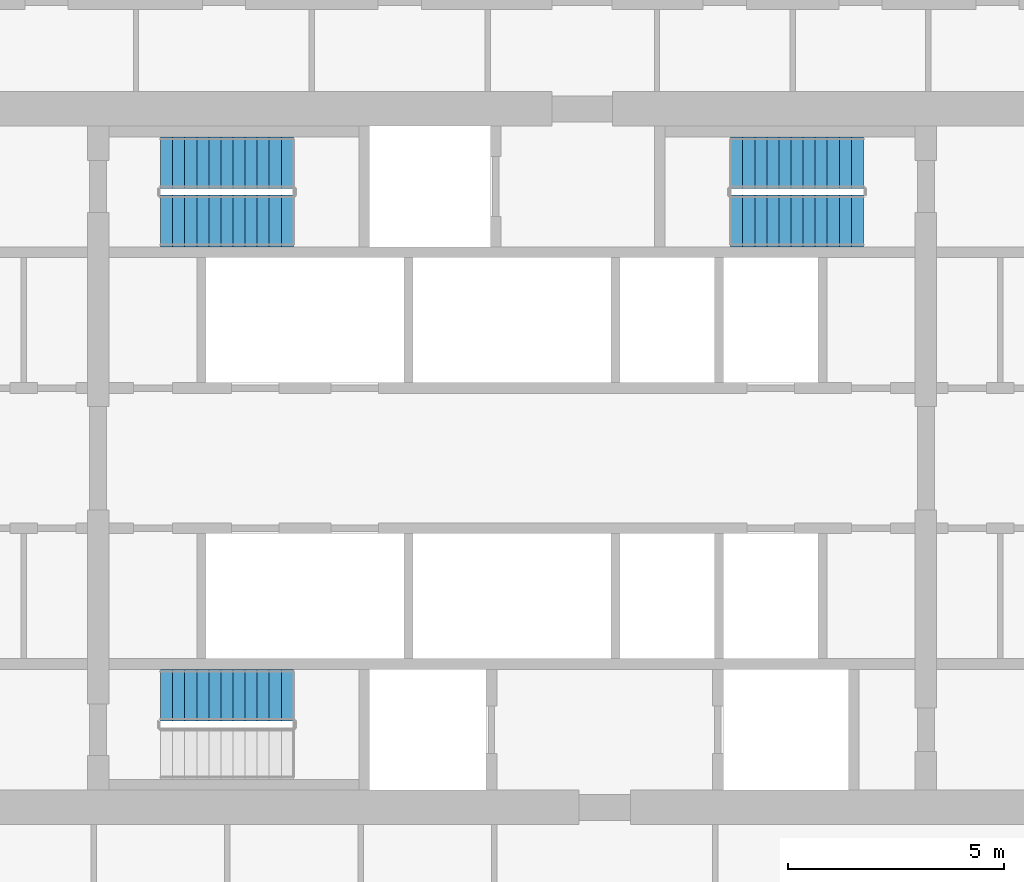
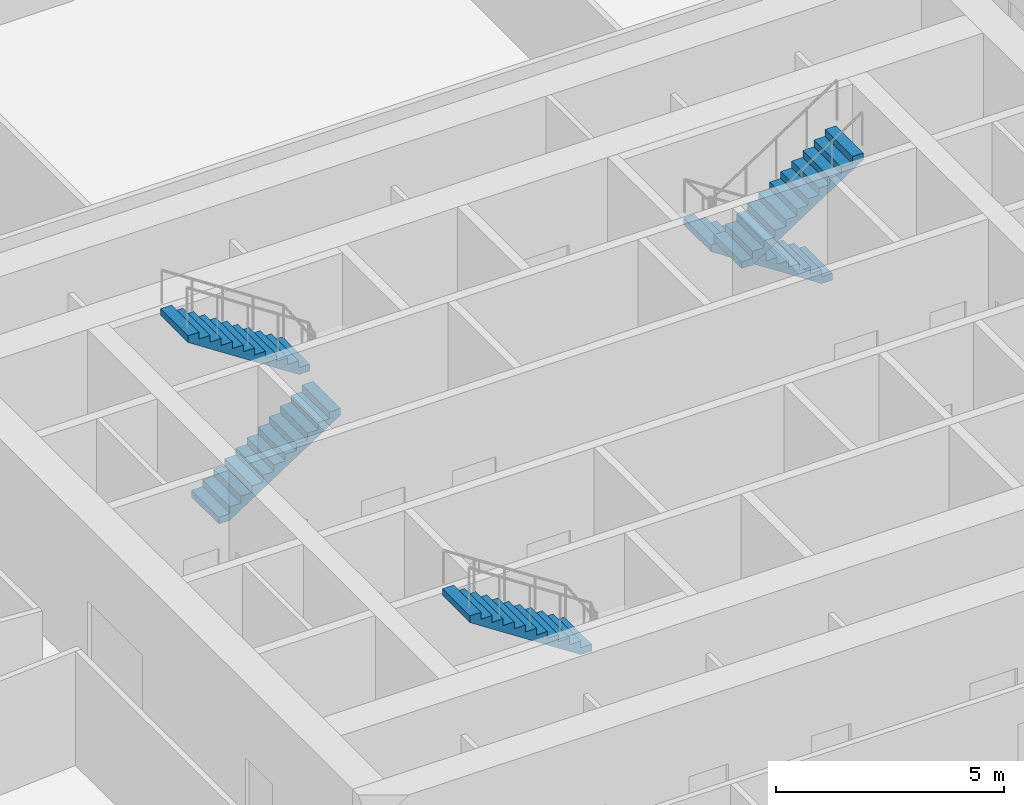
# One storey, part 9 of 13: 5 stair flights, 3 elements without a shape of their own.
"""IFC4 building model written with IfcOpenShell, lengths in metres."""

import ifcopenshell
import ifcopenshell.guid

model = None  # the IFC model being written
_history = None  # IfcOwnerHistory: only IFC2X3 demands one
_inside = {}  # id of a spatial element -> (the spatial element, [elements in it])
_under = {}  # id of a project, library or spatial element -> (it, [spatial elements below it])
_declared = {}  # id of a project -> (the project, [libraries it declares])
_typed = {}  # id of a type object -> (the type object, [elements of that type])
_made_of = {}  # id of a material, layer set ... -> (it, [elements and type objects made of it])


def new_model(schema):
    """Start an empty IFC model of exactly this schema.

    Asked for "IFC4X3", IfcOpenShell would pick the latest addendum, in which some entities
    have other attributes; the version numbers below select the first issue.
    IFC2X3 requires an IfcOwnerHistory on every rooted entity: one is made here for all.
    """
    global model, _history
    if schema == "IFC4X3":
        model = ifcopenshell.file(schema_version=(4, 3, 0, 0))
    else:
        model = ifcopenshell.file(schema=schema)
    _inside.clear()
    _under.clear()
    _declared.clear()
    _typed.clear()
    _made_of.clear()
    _history = None
    if model.schema == "IFC2X3":
        org = make("IfcOrganization", Name="unknown")
        user = make(
            "IfcPersonAndOrganization",
            ThePerson=make("IfcPerson", FamilyName="unknown"),
            TheOrganization=org,
        )
        app = make(
            "IfcApplication",
            ApplicationDeveloper=org,
            Version="unknown",
            ApplicationFullName="unknown",
            ApplicationIdentifier="unknown",
        )
        _history = make(
            "IfcOwnerHistory",
            OwningUser=user,
            OwningApplication=app,
            ChangeAction="ADDED",
            CreationDate=0,
        )
    return model


def make(cls, **values):
    """One entity of the class cls with the attributes given. An attribute that is None is left unset."""
    return model.create_entity(
        cls, **{name: value for name, value in values.items() if value is not None}
    )


def rooted(cls, **values):
    """An entity with a GlobalId (a new one), such as an element, a storey or a relation."""
    return make(cls, GlobalId=ifcopenshell.guid.new(), OwnerHistory=_history, **values)


def si_unit(unit_type, name, prefix=None):
    """IfcSIUnit, for example si_unit("LENGTHUNIT", "METRE", prefix="MILLI")."""
    return make("IfcSIUnit", UnitType=unit_type, Prefix=prefix, Name=name)


def assignment(units):
    """IfcUnitAssignment: the units of a project."""
    return None if units is None else make("IfcUnitAssignment", Units=units)


def point(xyz):
    """IfcCartesianPoint."""
    return None if xyz is None else make("IfcCartesianPoint", Coordinates=xyz)


def direction(xyz):
    """IfcDirection."""
    return None if xyz is None else make("IfcDirection", DirectionRatios=xyz)


def frame(location, z_axis=None, x_axis=None):
    """IfcAxis2Placement3D, a coordinate frame: its origin and axes. An axis left out is left unset."""
    return make(
        "IfcAxis2Placement3D",
        Location=point(location),
        Axis=direction(z_axis),
        RefDirection=direction(x_axis),
    )


def origin():
    """The frame at (0, 0, 0) with its axes left unset."""
    return frame((0.0, 0.0, 0.0))


def place(relative_to, where):
    """IfcLocalPlacement: puts the frame where relative to a parent placement (None: the world)."""
    return make(
        "IfcLocalPlacement", PlacementRelTo=relative_to, RelativePlacement=where
    )


def context(
    kind, dimensions, precision=None, world=None, true_north=None, identifier=None
):
    """IfcGeometricRepresentationContext, for example the 3D "Model" context."""
    return make(
        "IfcGeometricRepresentationContext",
        ContextIdentifier=identifier,
        ContextType=kind,
        CoordinateSpaceDimension=dimensions,
        Precision=precision,
        WorldCoordinateSystem=world,
        TrueNorth=true_north,
    )


def subcontext(parent, identifier, kind, view, scale=None):
    """IfcGeometricRepresentationSubContext, for example "Body" below "Model"."""
    return make(
        "IfcGeometricRepresentationSubContext",
        ContextIdentifier=identifier,
        ContextType=kind,
        ParentContext=parent,
        TargetScale=scale,
        TargetView=view,
    )


def project(units=None, contexts=None):
    """IfcProject with its units and contexts."""
    return rooted(
        "IfcProject",
        Name="project",
        RepresentationContexts=contexts,
        UnitsInContext=assignment(units),
    )


def spatial(cls, under=None, at=None, **own):
    """A site, building, storey or space (cls), placed at a placement, below another one or the project."""
    s = rooted(cls, ObjectPlacement=at, **own)
    if under is not None:
        _under.setdefault(under.id(), (under, []))[1].append(s)
    return s


def polyline(points):
    """IfcPolyline through the points."""
    return make("IfcPolyline", Points=[point(p) for p in points])


def outline(outer, holes=None, kind="AREA"):
    """IfcArbitraryClosedProfileDef: a profile drawn as a closed curve; with holes, ...WithVoids."""
    if holes is None:
        return make("IfcArbitraryClosedProfileDef", ProfileType=kind, OuterCurve=outer)
    return make(
        "IfcArbitraryProfileDefWithVoids",
        ProfileType=kind,
        OuterCurve=outer,
        InnerCurves=holes,
    )


def extrude(swept, where, along, depth):
    """IfcExtrudedAreaSolid: the profile swept, set in the frame where, extruded along a direction by depth."""
    return make(
        "IfcExtrudedAreaSolid",
        SweptArea=swept,
        Position=where,
        ExtrudedDirection=direction(along),
        Depth=depth,
    )


def shape(context_of_items, identifier, shape_type, items):
    """IfcShapeRepresentation: the items that make up one representation, for example the "Body"."""
    return make(
        "IfcShapeRepresentation",
        ContextOfItems=context_of_items,
        RepresentationIdentifier=identifier,
        RepresentationType=shape_type,
        Items=items,
    )


def material(Name=None, Category=None):
    """IfcMaterial."""
    return make("IfcMaterial", Name=Name, Category=Category)


def layer(
    of_material, thickness, ventilated=None, Name=None, Category=None, Priority=None
):
    """IfcMaterialLayer: one layer of a wall or slab, of a material (None: an air gap)."""
    return make(
        "IfcMaterialLayer",
        Material=of_material,
        LayerThickness=thickness,
        IsVentilated=ventilated,
        Name=Name,
        Category=Category,
        Priority=Priority,
    )


def layer_set(layers, Name=None):
    """IfcMaterialLayerSet."""
    return make("IfcMaterialLayerSet", MaterialLayers=layers, LayerSetName=Name)


def made_of(thing, what):
    """Note that an element or type object is made of a material, layer set ...; save() writes the relation."""
    if what is not None:
        _made_of.setdefault(what.id(), (what, []))[1].append(thing)
    return thing


def type_object(cls, material=None, **own):
    """A type object (cls), such as IfcWallType, which elements share."""
    return made_of(rooted(cls, **own), material)


def element(
    cls,
    number,
    at=None,
    inside=None,
    cuts=None,
    type_object=None,
    material=None,
    context=None,
    identifier="Body",
    shape_type=None,
    held_by="IfcProductDefinitionShape",
    body=None,
    shapes=None,
    **own,
):
    """One element of the class cls, such as IfcWall. Its Tag is "e" and its number.

    at: its placement. inside: the storey or other place that contains it. cuts: it is an
    opening in that element (IfcRelVoidsElement). A single representation is given by context,
    identifier, shape_type and body (its items); several are given by shapes. held_by: the class
    of the entity that holds the representations. save() writes the other relations.
    """
    e = rooted(cls, Tag="e%d" % number, ObjectPlacement=at, **own)
    if body is not None:
        shapes = [shape(context, identifier, shape_type, body)]
    if shapes is not None:
        e.Representation = make(held_by, Representations=shapes)
    if inside is not None:
        _inside.setdefault(inside.id(), (inside, []))[1].append(e)
    if cuts is not None:
        rooted(
            "IfcRelVoidsElement", RelatingBuildingElement=cuts, RelatedOpeningElement=e
        )
    if type_object is not None:
        _typed.setdefault(type_object.id(), (type_object, []))[1].append(e)
    return made_of(e, material)


def aggregate(whole, parts):
    """IfcRelAggregates: a whole, such as a stair, and the parts it consists of."""
    return rooted("IfcRelAggregates", RelatingObject=whole, RelatedObjects=parts)


def save(model, path):
    """Write the relations noted so far, then the file.

    IfcRelAggregates (storeys below a building ...), IfcRelContainedInSpatialStructure (elements
    in a storey), IfcRelDefinesByType, IfcRelAssociatesMaterial and IfcRelDeclares: one each for
    every whole, place, type object, material and project.
    """
    for whole, parts in _under.values():
        aggregate(whole, parts)
    for where, things in _inside.values():
        rooted(
            "IfcRelContainedInSpatialStructure",
            RelatedElements=things,
            RelatingStructure=where,
        )
    for kind, things in _typed.values():
        rooted("IfcRelDefinesByType", RelatedObjects=things, RelatingType=kind)
    for what, things in _made_of.values():
        rooted("IfcRelAssociatesMaterial", RelatedObjects=things, RelatingMaterial=what)
    for by, libraries in _declared.values():
        rooted("IfcRelDeclares", RelatingContext=by, RelatedDefinitions=libraries)
    model.write(path)


model = new_model("IFC4")

# Units and contexts
model_context = context("Model", 3, precision=1e-05, world=origin(), true_north=direction((0.0, 1.0)))
body_context = subcontext(model_context, "Body", "Model", "MODEL_VIEW")
ifc_project = project(units=[si_unit("LENGTHUNIT", "METRE"), si_unit("AREAUNIT", "SQUARE_METRE"), si_unit("VOLUMEUNIT", "CUBIC_METRE"), si_unit("PLANEANGLEUNIT", "RADIAN"), si_unit("MASSUNIT", "GRAM", prefix="KILO")], contexts=[model_context])

# Site, building, storey
site_placement = place(None, origin())
site = spatial("IfcSite", under=ifc_project, at=site_placement, CompositionType="ELEMENT")
building_placement = place(site_placement, origin())
building = spatial("IfcBuilding", under=site, at=building_placement, Name="Frailejon Research Tower", CompositionType="ELEMENT")
storey_placement = place(building_placement, frame((0.0, 0.0, 117.60009765625)))
storey = spatial("IfcBuildingStorey", under=building, at=storey_placement, Name="L25", CompositionType="ELEMENT", Elevation=117.60009765625)

# Stair, stair flights
ifc_material_1 = material(Name="Concrete C50/60", Category="concrete")
stair_type = type_object("IfcStairType", Name="Exit stair 24 risers", PredefinedType="HALF_TURN_STAIR", material=ifc_material_1)
stair_1_placement = place(storey_placement, origin())
stair_1 = element("IfcStair", 1, at=stair_1_placement, inside=storey, type_object=stair_type, Name="L25 Exit stair ST1", PredefinedType="HALF_TURN_STAIR")
ifc_material_2 = material(Name="Concrete C50/60", Category="concrete")
ifc_layer = layer(ifc_material_2, 0.14990234375)
ifc_layer_set = layer_set([ifc_layer], Name="Stair flight 12 risers")
stair_flight_type = type_object("IfcStairFlightType", Name="Stair flight 12 risers", PredefinedType="STRAIGHT", material=ifc_layer_set)
stair_flight_1_placement = place(storey_placement, frame((-8.14990234375, 5.5, 0.0), z_axis=(0.0, 0.0, 1.0), x_axis=(1.0, 0.0, 0.0)))
stair_flight_1 = element("IfcStairFlight", 2, at=stair_flight_1_placement, type_object=stair_flight_type, Name="ST1 flight 1", NumberOfRisers=12, NumberOfTreads=11, PredefinedType="STRAIGHT", RiserHeight=0.183333333, TreadLength=0.28, context=body_context, shape_type="SweptSolid", body=[
    extrude(outline(polyline([(0.0, 0.0), (0.0, 0.183349609375), (0.280029296875, 0.183349609375), (0.280029296875, 0.36669921875), (0.56005859375, 0.36669921875), (0.56005859375, 0.550048828125), (0.840087890625, 0.550048828125), (0.840087890625, 0.7333984375), (1.1201171875, 0.7333984375), (1.1201171875, 0.916748046875), (1.39990234375, 0.916748046875), (1.39990234375, 1.10009765625), (1.679931640625, 1.10009765625), (1.679931640625, 1.283447265625), (1.9599609375, 1.283447265625), (1.9599609375, 1.466552734375), (2.239990234375, 1.466552734375), (2.239990234375, 1.64990234375), (2.52001953125, 1.64990234375), (2.52001953125, 1.833251953125), (2.800048828125, 1.833251953125), (2.800048828125, 2.0166015625), (3.080078125, 2.0166015625), (3.080078125, 2.199951171875), (3.080078125, 1.83740234375), (0.273681640625, 0.0), (0.0, 0.0)])), frame((0.0, 0.60009765625, 0.0), z_axis=(0.0, -1.0, 0.0), x_axis=(1.0, 0.0, 0.0)), (0.0, 0.0, 1.0), 1.199951171875),
])
stair_flight_2_placement = place(storey_placement, frame((-5.070068359375, 6.85009765625, 2.199951171875), z_axis=(0.0, 0.0, 1.0), x_axis=(-1.0, 0.0, 0.0)))
stair_flight_2 = element("IfcStairFlight", 3, at=stair_flight_2_placement, type_object=stair_flight_type, Name="ST1 flight 2", NumberOfRisers=12, NumberOfTreads=11, PredefinedType="STRAIGHT", RiserHeight=0.183333333, TreadLength=0.28, context=body_context, shape_type="SweptSolid", body=[
    extrude(outline(polyline([(0.0, 0.0), (0.0, 0.183349609375), (0.280029296875, 0.183349609375), (0.280029296875, 0.36669921875), (0.56005859375, 0.36669921875), (0.56005859375, 0.550048828125), (0.840087890625, 0.550048828125), (0.840087890625, 0.7333984375), (1.1201171875, 0.7333984375), (1.1201171875, 0.916748046875), (1.39990234375, 0.916748046875), (1.39990234375, 1.10009765625), (1.679931640625, 1.10009765625), (1.679931640625, 1.283447265625), (1.9599609375, 1.283447265625), (1.9599609375, 1.466552734375), (2.239990234375, 1.466552734375), (2.239990234375, 1.64990234375), (2.52001953125, 1.64990234375), (2.52001953125, 1.833251953125), (2.800048828125, 1.833251953125), (2.800048828125, 2.0166015625), (3.080078125, 2.0166015625), (3.080078125, 2.199951171875), (3.080078125, 1.83740234375), (0.273681640625, 0.0), (0.0, 0.0)])), frame((0.0, 0.60009765625, 0.0), z_axis=(0.0, -1.0, 0.0), x_axis=(1.0, 0.0, 0.0)), (0.0, 0.0, 1.0), 1.199951171875),
])
aggregate(stair_1, [stair_flight_1, stair_flight_2])

# Stair, stair flight
stair_2_placement = place(storey_placement, origin())
stair_2 = element("IfcStair", 4, at=stair_2_placement, inside=storey, type_object=stair_type, Name="L25 Exit stair ST2", PredefinedType="HALF_TURN_STAIR")
stair_flight_3_placement = place(storey_placement, frame((-5.070068359375, -5.5, 2.199951171875), z_axis=(0.0, 0.0, 1.0), x_axis=(-1.0, 0.0, 0.0)))
stair_flight_3 = element("IfcStairFlight", 5, at=stair_flight_3_placement, type_object=stair_flight_type, Name="ST2 flight 2", NumberOfRisers=12, NumberOfTreads=11, PredefinedType="STRAIGHT", RiserHeight=0.183333333, TreadLength=0.28, context=body_context, shape_type="SweptSolid", body=[
    extrude(outline(polyline([(0.0, 0.0), (0.0, 0.183349609375), (0.280029296875, 0.183349609375), (0.280029296875, 0.36669921875), (0.56005859375, 0.36669921875), (0.56005859375, 0.550048828125), (0.840087890625, 0.550048828125), (0.840087890625, 0.7333984375), (1.1201171875, 0.7333984375), (1.1201171875, 0.916748046875), (1.39990234375, 0.916748046875), (1.39990234375, 1.10009765625), (1.679931640625, 1.10009765625), (1.679931640625, 1.283447265625), (1.9599609375, 1.283447265625), (1.9599609375, 1.466552734375), (2.239990234375, 1.466552734375), (2.239990234375, 1.64990234375), (2.52001953125, 1.64990234375), (2.52001953125, 1.833251953125), (2.800048828125, 1.833251953125), (2.800048828125, 2.0166015625), (3.080078125, 2.0166015625), (3.080078125, 2.199951171875), (3.080078125, 1.83740234375), (0.273681640625, 0.0), (0.0, 0.0)])), frame((0.0, 0.60009765625, 0.0), z_axis=(0.0, -1.0, 0.0), x_axis=(1.0, 0.0, 0.0)), (0.0, 0.0, 1.0), 1.199951171875),
])
aggregate(stair_2, [stair_flight_3])

# Stair, stair flights
stair_3_placement = place(storey_placement, origin())
stair_3 = element("IfcStair", 6, at=stair_3_placement, inside=storey, type_object=stair_type, Name="L25 Exit stair ST3", PredefinedType="HALF_TURN_STAIR")
stair_flight_4_placement = place(storey_placement, frame((8.14990234375, 6.85009765625, 0.0), z_axis=(0.0, 0.0, 1.0), x_axis=(-1.0, 0.0, 0.0)))
stair_flight_4 = element("IfcStairFlight", 7, at=stair_flight_4_placement, type_object=stair_flight_type, Name="ST3 flight 1", NumberOfRisers=12, NumberOfTreads=11, PredefinedType="STRAIGHT", RiserHeight=0.183333333, TreadLength=0.28, context=body_context, shape_type="SweptSolid", body=[
    extrude(outline(polyline([(0.0, 0.0), (0.0, 0.183349609375), (0.280029296875, 0.183349609375), (0.280029296875, 0.36669921875), (0.56005859375, 0.36669921875), (0.56005859375, 0.550048828125), (0.840087890625, 0.550048828125), (0.840087890625, 0.7333984375), (1.1201171875, 0.7333984375), (1.1201171875, 0.916748046875), (1.39990234375, 0.916748046875), (1.39990234375, 1.10009765625), (1.679931640625, 1.10009765625), (1.679931640625, 1.283447265625), (1.9599609375, 1.283447265625), (1.9599609375, 1.466552734375), (2.239990234375, 1.466552734375), (2.239990234375, 1.64990234375), (2.52001953125, 1.64990234375), (2.52001953125, 1.833251953125), (2.800048828125, 1.833251953125), (2.800048828125, 2.0166015625), (3.080078125, 2.0166015625), (3.080078125, 2.199951171875), (3.080078125, 1.83740234375), (0.273681640625, 0.0), (0.0, 0.0)])), frame((0.0, 0.60009765625, 0.0), z_axis=(0.0, -1.0, 0.0), x_axis=(1.0, 0.0, 0.0)), (0.0, 0.0, 1.0), 1.199951171875),
])
stair_flight_5_placement = place(storey_placement, frame((5.070068359375, 5.5, 2.199951171875), z_axis=(0.0, 0.0, 1.0), x_axis=(1.0, 0.0, 0.0)))
stair_flight_5 = element("IfcStairFlight", 8, at=stair_flight_5_placement, type_object=stair_flight_type, Name="ST3 flight 2", NumberOfRisers=12, NumberOfTreads=11, PredefinedType="STRAIGHT", RiserHeight=0.183333333, TreadLength=0.28, context=body_context, shape_type="SweptSolid", body=[
    extrude(outline(polyline([(0.0, 0.0), (0.0, 0.183349609375), (0.280029296875, 0.183349609375), (0.280029296875, 0.36669921875), (0.56005859375, 0.36669921875), (0.56005859375, 0.550048828125), (0.840087890625, 0.550048828125), (0.840087890625, 0.7333984375), (1.1201171875, 0.7333984375), (1.1201171875, 0.916748046875), (1.39990234375, 0.916748046875), (1.39990234375, 1.10009765625), (1.679931640625, 1.10009765625), (1.679931640625, 1.283447265625), (1.9599609375, 1.283447265625), (1.9599609375, 1.466552734375), (2.239990234375, 1.466552734375), (2.239990234375, 1.64990234375), (2.52001953125, 1.64990234375), (2.52001953125, 1.833251953125), (2.800048828125, 1.833251953125), (2.800048828125, 2.0166015625), (3.080078125, 2.0166015625), (3.080078125, 2.199951171875), (3.080078125, 1.83740234375), (0.273681640625, 0.0), (0.0, 0.0)])), frame((0.0, 0.60009765625, 0.0), z_axis=(0.0, -1.0, 0.0), x_axis=(1.0, 0.0, 0.0)), (0.0, 0.0, 1.0), 1.199951171875),
])
aggregate(stair_3, [stair_flight_4, stair_flight_5])

save(model, "model.ifc")
